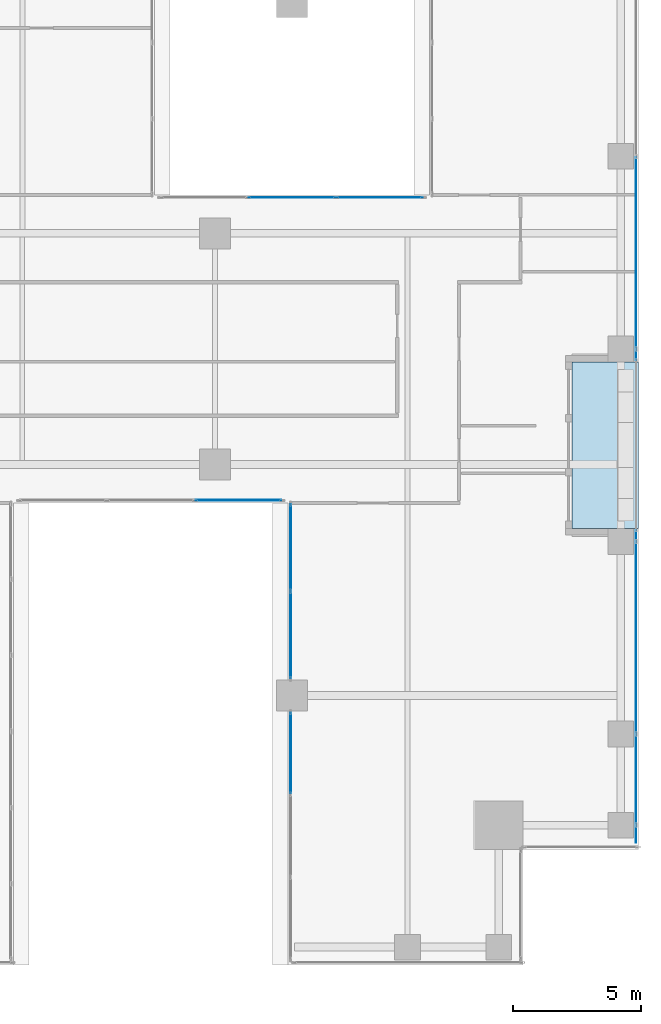
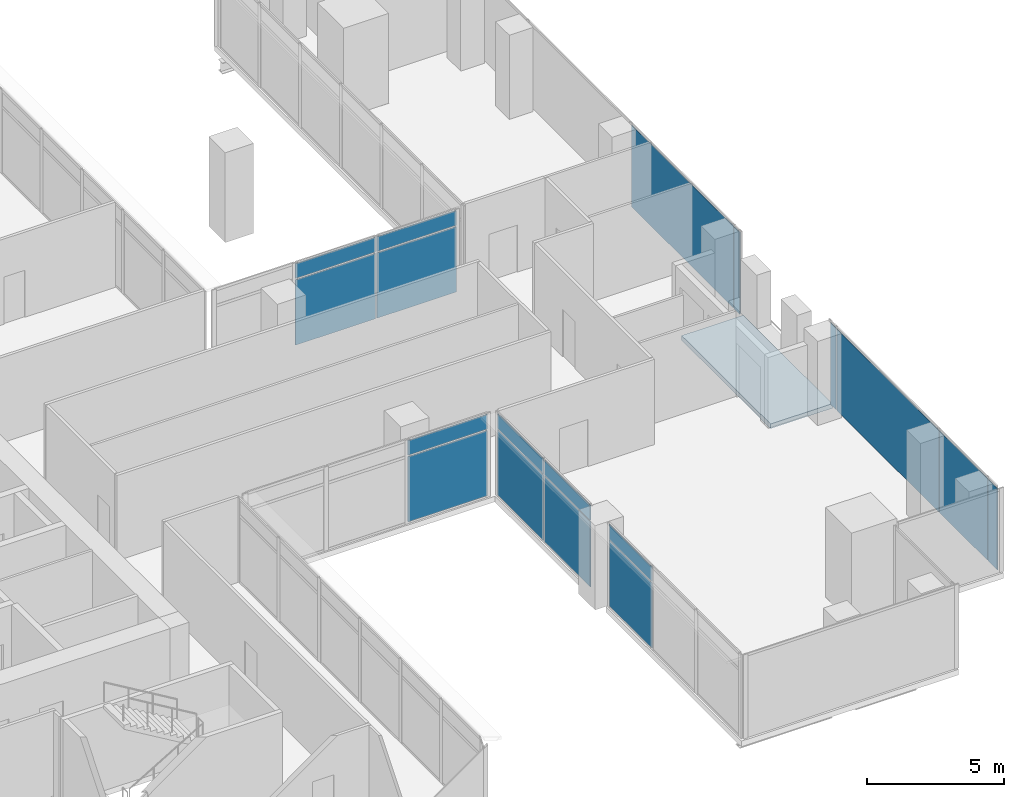
# One storey, part 30 of 38: 18 plates, 1 slab, 6 elements without a shape of their own.
"""IFC4 building model written with IfcOpenShell, lengths in metres."""

import ifcopenshell
import ifcopenshell.guid

model = None  # the IFC model being written
_history = None  # IfcOwnerHistory: only IFC2X3 demands one
_inside = {}  # id of a spatial element -> (the spatial element, [elements in it])
_under = {}  # id of a project, library or spatial element -> (it, [spatial elements below it])
_declared = {}  # id of a project -> (the project, [libraries it declares])
_typed = {}  # id of a type object -> (the type object, [elements of that type])
_made_of = {}  # id of a material, layer set ... -> (it, [elements and type objects made of it])


def new_model(schema):
    """Start an empty IFC model of exactly this schema.

    Asked for "IFC4X3", IfcOpenShell would pick the latest addendum, in which some entities
    have other attributes; the version numbers below select the first issue.
    IFC2X3 requires an IfcOwnerHistory on every rooted entity: one is made here for all.
    """
    global model, _history
    if schema == "IFC4X3":
        model = ifcopenshell.file(schema_version=(4, 3, 0, 0))
    else:
        model = ifcopenshell.file(schema=schema)
    _inside.clear()
    _under.clear()
    _declared.clear()
    _typed.clear()
    _made_of.clear()
    _history = None
    if model.schema == "IFC2X3":
        org = make("IfcOrganization", Name="unknown")
        user = make(
            "IfcPersonAndOrganization",
            ThePerson=make("IfcPerson", FamilyName="unknown"),
            TheOrganization=org,
        )
        app = make(
            "IfcApplication",
            ApplicationDeveloper=org,
            Version="unknown",
            ApplicationFullName="unknown",
            ApplicationIdentifier="unknown",
        )
        _history = make(
            "IfcOwnerHistory",
            OwningUser=user,
            OwningApplication=app,
            ChangeAction="ADDED",
            CreationDate=0,
        )
    return model


def make(cls, **values):
    """One entity of the class cls with the attributes given. An attribute that is None is left unset."""
    return model.create_entity(
        cls, **{name: value for name, value in values.items() if value is not None}
    )


def rooted(cls, **values):
    """An entity with a GlobalId (a new one), such as an element, a storey or a relation."""
    return make(cls, GlobalId=ifcopenshell.guid.new(), OwnerHistory=_history, **values)


def si_unit(unit_type, name, prefix=None):
    """IfcSIUnit, for example si_unit("LENGTHUNIT", "METRE", prefix="MILLI")."""
    return make("IfcSIUnit", UnitType=unit_type, Prefix=prefix, Name=name)


def assignment(units):
    """IfcUnitAssignment: the units of a project."""
    return None if units is None else make("IfcUnitAssignment", Units=units)


def point(xyz):
    """IfcCartesianPoint."""
    return None if xyz is None else make("IfcCartesianPoint", Coordinates=xyz)


def direction(xyz):
    """IfcDirection."""
    return None if xyz is None else make("IfcDirection", DirectionRatios=xyz)


def frame(location, z_axis=None, x_axis=None):
    """IfcAxis2Placement3D, a coordinate frame: its origin and axes. An axis left out is left unset."""
    return make(
        "IfcAxis2Placement3D",
        Location=point(location),
        Axis=direction(z_axis),
        RefDirection=direction(x_axis),
    )


def frame_2d(location, x_axis=None):
    """IfcAxis2Placement2D, a coordinate frame in the plane: its origin and x axis."""
    return make(
        "IfcAxis2Placement2D", Location=point(location), RefDirection=direction(x_axis)
    )


def origin():
    """The frame at (0, 0, 0) with its axes left unset."""
    return frame((0.0, 0.0, 0.0))


def origin_2d():
    """The frame at (0, 0) in the plane with its x axis left unset."""
    return frame_2d((0.0, 0.0))


def place(relative_to, where):
    """IfcLocalPlacement: puts the frame where relative to a parent placement (None: the world)."""
    return make(
        "IfcLocalPlacement", PlacementRelTo=relative_to, RelativePlacement=where
    )


def context(
    kind, dimensions, precision=None, world=None, true_north=None, identifier=None
):
    """IfcGeometricRepresentationContext, for example the 3D "Model" context."""
    return make(
        "IfcGeometricRepresentationContext",
        ContextIdentifier=identifier,
        ContextType=kind,
        CoordinateSpaceDimension=dimensions,
        Precision=precision,
        WorldCoordinateSystem=world,
        TrueNorth=true_north,
    )


def subcontext(parent, identifier, kind, view, scale=None):
    """IfcGeometricRepresentationSubContext, for example "Body" below "Model"."""
    return make(
        "IfcGeometricRepresentationSubContext",
        ContextIdentifier=identifier,
        ContextType=kind,
        ParentContext=parent,
        TargetScale=scale,
        TargetView=view,
    )


def project(units=None, contexts=None):
    """IfcProject with its units and contexts."""
    return rooted(
        "IfcProject",
        Name="project",
        RepresentationContexts=contexts,
        UnitsInContext=assignment(units),
    )


def spatial(cls, under=None, at=None, **own):
    """A site, building, storey or space (cls), placed at a placement, below another one or the project."""
    s = rooted(cls, ObjectPlacement=at, **own)
    if under is not None:
        _under.setdefault(under.id(), (under, []))[1].append(s)
    return s


def polyline(points):
    """IfcPolyline through the points."""
    return make("IfcPolyline", Points=[point(p) for p in points])


def profile(cls, at=None, kind="AREA", **sizes):
    """A parametric profile (cls). Its sizes go by their IFC names, for example OverallWidth=200.0."""
    return make(cls, ProfileType=kind, Position=at, **sizes)


def rectangle(**sizes):
    """IfcRectangleProfileDef."""
    return profile("IfcRectangleProfileDef", **sizes)


def outline(outer, holes=None, kind="AREA"):
    """IfcArbitraryClosedProfileDef: a profile drawn as a closed curve; with holes, ...WithVoids."""
    if holes is None:
        return make("IfcArbitraryClosedProfileDef", ProfileType=kind, OuterCurve=outer)
    return make(
        "IfcArbitraryProfileDefWithVoids",
        ProfileType=kind,
        OuterCurve=outer,
        InnerCurves=holes,
    )


def extrude(swept, where, along, depth):
    """IfcExtrudedAreaSolid: the profile swept, set in the frame where, extruded along a direction by depth."""
    return make(
        "IfcExtrudedAreaSolid",
        SweptArea=swept,
        Position=where,
        ExtrudedDirection=direction(along),
        Depth=depth,
    )


def shape(context_of_items, identifier, shape_type, items):
    """IfcShapeRepresentation: the items that make up one representation, for example the "Body"."""
    return make(
        "IfcShapeRepresentation",
        ContextOfItems=context_of_items,
        RepresentationIdentifier=identifier,
        RepresentationType=shape_type,
        Items=items,
    )


def source(mapping_origin, context_of_items, identifier, shape_type, items):
    """IfcRepresentationMap: a shape defined once, which mapped items show again and again."""
    return make(
        "IfcRepresentationMap",
        MappingOrigin=mapping_origin,
        MappedRepresentation=shape(context_of_items, identifier, shape_type, items),
    )


def transform(
    local_origin,
    x_axis=None,
    y_axis=None,
    z_axis=None,
    scale=None,
    scale2=None,
    scale3=None,
    uniform=True,
):
    """IfcCartesianTransformationOperator3D, or its non-uniform kind. x_axis, y_axis, z_axis: its Axis1, 2, 3."""
    if uniform:
        return make(
            "IfcCartesianTransformationOperator3D",
            Axis1=direction(x_axis),
            Axis2=direction(y_axis),
            LocalOrigin=point(local_origin),
            Scale=scale,
            Axis3=direction(z_axis),
        )
    return make(
        "IfcCartesianTransformationOperator3DnonUniform",
        Axis1=direction(x_axis),
        Axis2=direction(y_axis),
        LocalOrigin=point(local_origin),
        Scale=scale,
        Axis3=direction(z_axis),
        Scale2=scale2,
        Scale3=scale3,
    )


def mapped(mapping_source, mapping_target):
    """IfcMappedItem: shows the shape of a source again, moved by a transform."""
    return make(
        "IfcMappedItem", MappingSource=mapping_source, MappingTarget=mapping_target
    )


def material(Name=None, Category=None):
    """IfcMaterial."""
    return make("IfcMaterial", Name=Name, Category=Category)


def layer(
    of_material, thickness, ventilated=None, Name=None, Category=None, Priority=None
):
    """IfcMaterialLayer: one layer of a wall or slab, of a material (None: an air gap)."""
    return make(
        "IfcMaterialLayer",
        Material=of_material,
        LayerThickness=thickness,
        IsVentilated=ventilated,
        Name=Name,
        Category=Category,
        Priority=Priority,
    )


def layer_set(layers, Name=None):
    """IfcMaterialLayerSet."""
    return make("IfcMaterialLayerSet", MaterialLayers=layers, LayerSetName=Name)


def made_of(thing, what):
    """Note that an element or type object is made of a material, layer set ...; save() writes the relation."""
    if what is not None:
        _made_of.setdefault(what.id(), (what, []))[1].append(thing)
    return thing


def type_object(cls, material=None, **own):
    """A type object (cls), such as IfcWallType, which elements share."""
    return made_of(rooted(cls, **own), material)


def element(
    cls,
    number,
    at=None,
    inside=None,
    cuts=None,
    type_object=None,
    material=None,
    context=None,
    identifier="Body",
    shape_type=None,
    held_by="IfcProductDefinitionShape",
    body=None,
    shapes=None,
    **own,
):
    """One element of the class cls, such as IfcWall. Its Tag is "e" and its number.

    at: its placement. inside: the storey or other place that contains it. cuts: it is an
    opening in that element (IfcRelVoidsElement). A single representation is given by context,
    identifier, shape_type and body (its items); several are given by shapes. held_by: the class
    of the entity that holds the representations. save() writes the other relations.
    """
    e = rooted(cls, Tag="e%d" % number, ObjectPlacement=at, **own)
    if body is not None:
        shapes = [shape(context, identifier, shape_type, body)]
    if shapes is not None:
        e.Representation = make(held_by, Representations=shapes)
    if inside is not None:
        _inside.setdefault(inside.id(), (inside, []))[1].append(e)
    if cuts is not None:
        rooted(
            "IfcRelVoidsElement", RelatingBuildingElement=cuts, RelatedOpeningElement=e
        )
    if type_object is not None:
        _typed.setdefault(type_object.id(), (type_object, []))[1].append(e)
    return made_of(e, material)


def aggregate(whole, parts):
    """IfcRelAggregates: a whole, such as a stair, and the parts it consists of."""
    return rooted("IfcRelAggregates", RelatingObject=whole, RelatedObjects=parts)


def save(model, path):
    """Write the relations noted so far, then the file.

    IfcRelAggregates (storeys below a building ...), IfcRelContainedInSpatialStructure (elements
    in a storey), IfcRelDefinesByType, IfcRelAssociatesMaterial and IfcRelDeclares: one each for
    every whole, place, type object, material and project.
    """
    for whole, parts in _under.values():
        aggregate(whole, parts)
    for where, things in _inside.values():
        rooted(
            "IfcRelContainedInSpatialStructure",
            RelatedElements=things,
            RelatingStructure=where,
        )
    for kind, things in _typed.values():
        rooted("IfcRelDefinesByType", RelatedObjects=things, RelatingType=kind)
    for what, things in _made_of.values():
        rooted("IfcRelAssociatesMaterial", RelatedObjects=things, RelatingMaterial=what)
    for by, libraries in _declared.values():
        rooted("IfcRelDeclares", RelatingContext=by, RelatedDefinitions=libraries)
    model.write(path)


model = new_model("IFC4")

# Units and contexts
model_context = context("Model", 3, precision=1e-05, world=origin(), true_north=direction((0.0, 1.0)))
body_context = subcontext(model_context, "Body", "Model", "MODEL_VIEW")
ifc_project = project(units=[si_unit("LENGTHUNIT", "METRE"), si_unit("AREAUNIT", "SQUARE_METRE"), si_unit("VOLUMEUNIT", "CUBIC_METRE"), si_unit("PLANEANGLEUNIT", "RADIAN"), si_unit("MASSUNIT", "GRAM", prefix="KILO")], contexts=[model_context])

# Site, building, storey
site_placement = place(None, origin())
site = spatial("IfcSite", under=ifc_project, at=site_placement, CompositionType="ELEMENT")
building_placement = place(site_placement, origin())
building = spatial("IfcBuilding", under=site, at=building_placement, Name="Khomas Fold Tower", CompositionType="ELEMENT")
storey_placement = place(building_placement, frame((0.0, 0.0, 172.699951171875)))
storey = spatial("IfcBuildingStorey", under=building, at=storey_placement, Name="L37", CompositionType="ELEMENT", Elevation=172.699951171875)

# Curtain wall, plates
ifc_material_1 = material(Name="Aluminium framed double glazing", Category="aluminium")
curtain_wall_type_1 = type_object("IfcCurtainWallType", Name="SK-Unitised clear-glass wall, office floors CW2", PredefinedType="NOTDEFINED", material=ifc_material_1)
curtain_wall_1_placement = place(storey_placement, origin())
curtain_wall_1 = element("IfcCurtainWall", 1, at=curtain_wall_1_placement, inside=storey, type_object=curtain_wall_type_1, Name="CW2 run L37 08-0", PredefinedType="NOTDEFINED")
ifc_material_2 = material(Name="Clear double glazed unit")
ifc_layer_1 = layer(ifc_material_2, 0.030029296875)
ifc_layer_set_1 = layer_set([ifc_layer_1], Name="Clear double glazed unit")
plate_type_1 = type_object("IfcPlateType", Name="SK-Unitised clear-glass wall, office floors glass panel CW2-P", PredefinedType="CURTAIN_PANEL", material=ifc_layer_set_1)
shared_shape_1 = source(origin(), body_context, "Body", "SweptSolid", [
    extrude(rectangle(XDim=0.659912109375, YDim=0.030029296875, at=origin_2d()), origin(), (0.0, 0.0, 1.0), 3.639892578125),
])
plate_1_placement = place(storey_placement, frame((50.89990234375, 8.090087890625, 0.0), z_axis=(0.0, 0.0, 1.0), x_axis=(0.0, 1.0, 0.0)))
plate_1 = element("IfcPlate", 2, at=plate_1_placement, type_object=plate_type_1, Name="CW2 glass panel 1", PredefinedType="CURTAIN_PANEL", context=body_context, shape_type="MappedRepresentation", body=[
    mapped(shared_shape_1, transform((0.0, 0.0, 0.0))),
])
shared_shape_2 = source(origin(), body_context, "Body", "SweptSolid", [
    extrude(rectangle(XDim=3.489990234375, YDim=0.030029296875, at=origin_2d()), origin(), (0.0, 0.0, 1.0), 3.639892578125),
])
plate_2_placement = place(storey_placement, frame((50.89990234375, 10.22509765625, 0.0), z_axis=(0.0, 0.0, 1.0), x_axis=(0.0, 1.0, 0.0)))
plate_2 = element("IfcPlate", 3, at=plate_2_placement, type_object=plate_type_1, Name="CW2 glass panel 2", PredefinedType="CURTAIN_PANEL", context=body_context, shape_type="MappedRepresentation", body=[
    mapped(shared_shape_2, transform((0.0, 0.0, 0.0))),
])
shared_shape_3 = source(origin(), body_context, "Body", "SweptSolid", [
    extrude(rectangle(XDim=7.43994140625, YDim=0.030029296875, at=origin_2d()), origin(), (0.0, 0.0, 1.0), 3.639892578125),
])
plate_3_placement = place(storey_placement, frame((50.89990234375, 15.75, 0.0), z_axis=(0.0, 0.0, 1.0), x_axis=(0.0, 1.0, 0.0)))
plate_3 = element("IfcPlate", 4, at=plate_3_placement, type_object=plate_type_1, Name="CW2 glass panel 3", PredefinedType="CURTAIN_PANEL", context=body_context, shape_type="MappedRepresentation", body=[
    mapped(shared_shape_3, transform((0.0, 0.0, 0.0))),
])

# Curtain wall, plate
curtain_wall_2_placement = place(storey_placement, origin())
curtain_wall_2 = element("IfcCurtainWall", 5, at=curtain_wall_2_placement, inside=storey, type_object=curtain_wall_type_1, Name="CW2 run L37 08-1", PredefinedType="NOTDEFINED")
plate_4_placement = place(storey_placement, frame((50.89990234375, 30.75, 0.0), z_axis=(0.0, 0.0, 1.0), x_axis=(0.0, 1.0, 0.0)))
plate_4 = element("IfcPlate", 6, at=plate_4_placement, type_object=plate_type_1, Name="CW2 glass panel 2", PredefinedType="CURTAIN_PANEL", context=body_context, shape_type="MappedRepresentation", body=[
    mapped(shared_shape_3, transform((0.0, 0.0, 0.0))),
])

# Plate
shared_shape_4 = source(origin(), body_context, "Body", "SweptSolid", [
    extrude(rectangle(XDim=0.409912109375, YDim=0.030029296875, at=origin_2d()), origin(), (0.0, 0.0, 1.0), 3.639892578125),
])
plate_5_placement = place(storey_placement, frame((50.89990234375, 19.735107421875, 0.0), z_axis=(0.0, 0.0, 1.0), x_axis=(0.0, 1.0, 0.0)))
plate_5 = element("IfcPlate", 7, at=plate_5_placement, type_object=plate_type_1, Name="CW2 glass panel 4", PredefinedType="CURTAIN_PANEL", context=body_context, shape_type="MappedRepresentation", body=[
    mapped(shared_shape_4, transform((0.0, 0.0, 0.0))),
])

aggregate(curtain_wall_1, [plate_1, plate_2, plate_3, plate_5])

plate_6_placement = place(storey_placement, frame((50.89990234375, 26.764892578125, 0.0), z_axis=(0.0, 0.0, 1.0), x_axis=(0.0, 1.0, 0.0)))
plate_6 = element("IfcPlate", 8, at=plate_6_placement, type_object=plate_type_1, Name="CW2 glass panel 1", PredefinedType="CURTAIN_PANEL", context=body_context, shape_type="MappedRepresentation", body=[
    mapped(shared_shape_4, transform((0.0, 0.0, 0.0))),
])

aggregate(curtain_wall_2, [plate_6, plate_4])

# Slab
ifc_material_3 = material(Name="Concrete C40/50", Category="concrete")
ifc_layer_2 = layer(ifc_material_3, 0.205078125)
ifc_layer_set_2 = layer_set([ifc_layer_2], Name="Concrete C40/50")
slab_type = type_object("IfcSlabType", Name="BL-Balcony deck 205", PredefinedType="FLOOR", material=ifc_layer_set_2)
shared_shape_5 = source(origin(), body_context, "Body", "SweptSolid", [
    extrude(outline(polyline([(48.39990234375, 20.0), (51.0, 20.0), (51.0, 26.5), (48.39990234375, 26.5), (48.39990234375, 20.0)])), origin(), (0.0, 0.0, 1.0), 0.205078125),
])
slab_placement = place(storey_placement, frame((0.0, 0.0, -0.25)))
element("IfcSlab", 9, at=slab_placement, inside=storey, type_object=slab_type, Name="Balcony deck BAL-L37-E2", PredefinedType="FLOOR", context=body_context, shape_type="MappedRepresentation", body=[
    mapped(shared_shape_5, transform((0.0, 0.0, 0.0))),
])

# Curtain wall, plates
ifc_material_4 = material(Name="Aluminium framed double glazing", Category="aluminium")
curtain_wall_type_2 = type_object("IfcCurtainWallType", Name="Notch glazing GN-CW", PredefinedType="NOTDEFINED", material=ifc_material_4)
curtain_wall_3_placement = place(storey_placement, origin())
curtain_wall_3 = element("IfcCurtainWall", 10, at=curtain_wall_3_placement, inside=storey, type_object=curtain_wall_type_2, Name="Notch glazing run", PredefinedType="NOTDEFINED")
ifc_material_5 = material(Name="Double glazed unit")
ifc_layer_3 = layer(ifc_material_5, 0.031982421875)
ifc_layer_set_3 = layer_set([ifc_layer_3], Name="Double glazed unit")
plate_type_2 = type_object("IfcPlateType", Name="Notch glazing panel GN-CW-P", PredefinedType="CURTAIN_PANEL", material=ifc_layer_set_3)
shared_shape_6 = source(origin(), body_context, "Body", "SweptSolid", [
    extrude(rectangle(XDim=3.35009765625, YDim=0.031982421875, at=origin_2d()), origin(), (0.0, 0.0, 1.0), 2.909912109375),
])
plate_7_placement = place(storey_placement, frame((37.449951171875, 19.264892578125, 0.06005859375), z_axis=(0.0, 0.0, 1.0), x_axis=(0.0, -1.0, 0.0)))
plate_7 = element("IfcPlate", 11, at=plate_7_placement, type_object=plate_type_2, Name="GN-CW panel 1.1", PredefinedType="CURTAIN_PANEL", context=body_context, shape_type="MappedRepresentation", body=[
    mapped(shared_shape_6, transform((0.0, 0.0, 0.0))),
])
plate_8_placement = place(storey_placement, frame((37.449951171875, 15.85498046875, 0.06005859375), z_axis=(0.0, 0.0, 1.0), x_axis=(0.0, -1.0, 0.0)))
plate_8 = element("IfcPlate", 12, at=plate_8_placement, type_object=plate_type_2, Name="GN-CW panel 2.1", PredefinedType="CURTAIN_PANEL", context=body_context, shape_type="MappedRepresentation", body=[
    mapped(shared_shape_6, transform((0.0, 0.0, 0.0))),
])
shared_shape_7 = source(origin(), body_context, "Body", "SweptSolid", [
    extrude(rectangle(XDim=3.35009765625, YDim=0.031982421875, at=origin_2d()), origin(), (0.0, 0.0, 1.0), 0.659912109375),
])
plate_9_placement = place(storey_placement, frame((37.449951171875, 19.264892578125, 3.0302734375), z_axis=(0.0, 0.0, 1.0), x_axis=(0.0, -1.0, 0.0)))
plate_9 = element("IfcPlate", 13, at=plate_9_placement, type_object=plate_type_2, Name="GN-CW panel 1.2", PredefinedType="CURTAIN_PANEL", context=body_context, shape_type="MappedRepresentation", body=[
    mapped(shared_shape_7, transform((0.0, 0.0, 0.0))),
])
plate_10_placement = place(storey_placement, frame((37.449951171875, 15.85498046875, 3.0302734375), z_axis=(0.0, 0.0, 1.0), x_axis=(0.0, -1.0, 0.0)))
plate_10 = element("IfcPlate", 14, at=plate_10_placement, type_object=plate_type_2, Name="GN-CW panel 2.2", PredefinedType="CURTAIN_PANEL", context=body_context, shape_type="MappedRepresentation", body=[
    mapped(shared_shape_7, transform((0.0, 0.0, 0.0))),
])
aggregate(curtain_wall_3, [plate_7, plate_9, plate_8, plate_10])

curtain_wall_4_placement = place(storey_placement, origin())
curtain_wall_4 = element("IfcCurtainWall", 15, at=curtain_wall_4_placement, inside=storey, type_object=curtain_wall_type_2, Name="Notch glazing run", PredefinedType="NOTDEFINED")
shared_shape_8 = source(origin(), body_context, "Body", "SweptSolid", [
    extrude(rectangle(XDim=3.13671875, YDim=0.031982421875, at=origin_2d()), origin(), (0.0, 0.0, 1.0), 2.909912109375),
])
plate_11_placement = place(storey_placement, frame((37.449951171875, 11.251708984375, 0.06005859375), z_axis=(0.0, 0.0, 1.0), x_axis=(0.0, -1.0, 0.0)))
plate_11 = element("IfcPlate", 16, at=plate_11_placement, type_object=plate_type_2, Name="GN-CW panel 1.1", PredefinedType="CURTAIN_PANEL", context=body_context, shape_type="MappedRepresentation", body=[
    mapped(shared_shape_8, transform((0.0, 0.0, 0.0))),
])
shared_shape_9 = source(origin(), body_context, "Body", "SweptSolid", [
    extrude(rectangle(XDim=3.13671875, YDim=0.031982421875, at=origin_2d()), origin(), (0.0, 0.0, 1.0), 0.659912109375),
])
plate_12_placement = place(storey_placement, frame((37.449951171875, 11.251708984375, 3.0302734375), z_axis=(0.0, 0.0, 1.0), x_axis=(0.0, -1.0, 0.0)))
plate_12 = element("IfcPlate", 17, at=plate_12_placement, type_object=plate_type_2, Name="GN-CW panel 1.2", PredefinedType="CURTAIN_PANEL", context=body_context, shape_type="MappedRepresentation", body=[
    mapped(shared_shape_9, transform((0.0, 0.0, 0.0))),
])
aggregate(curtain_wall_4, [plate_11, plate_12])

# Curtain wall, plate
curtain_wall_5_placement = place(storey_placement, origin())
curtain_wall_5 = element("IfcCurtainWall", 18, at=curtain_wall_5_placement, inside=storey, type_object=curtain_wall_type_2, Name="Notch glazing run", PredefinedType="NOTDEFINED")
shared_shape_10 = source(origin(), body_context, "Body", "SweptSolid", [
    extrude(rectangle(XDim=3.34326171875, YDim=0.031982421875, at=origin_2d()), origin(), (0.0, 0.0, 1.0), 2.909912109375),
])
plate_13_placement = place(storey_placement, frame((35.418212890625, 21.10009765625, 0.06005859375), z_axis=(0.0, 0.0, 1.0), x_axis=(1.0, 0.0, 0.0)))
plate_13 = element("IfcPlate", 19, at=plate_13_placement, type_object=plate_type_2, Name="GN-CW panel 3.1", PredefinedType="CURTAIN_PANEL", context=body_context, shape_type="MappedRepresentation", body=[
    mapped(shared_shape_10, transform((0.0, 0.0, 0.0))),
])

curtain_wall_6_placement = place(storey_placement, origin())
curtain_wall_6 = element("IfcCurtainWall", 20, at=curtain_wall_6_placement, inside=storey, type_object=curtain_wall_type_2, Name="Notch glazing run", PredefinedType="NOTDEFINED")
plate_14_placement = place(storey_placement, frame((40.918212890625, 32.89990234375, 0.06005859375), z_axis=(0.0, 0.0, 1.0), x_axis=(-1.0, 0.0, 0.0)))
plate_14 = element("IfcPlate", 21, at=plate_14_placement, type_object=plate_type_2, Name="GN-CW panel 1.1", PredefinedType="CURTAIN_PANEL", context=body_context, shape_type="MappedRepresentation", body=[
    mapped(shared_shape_10, transform((0.0, 0.0, 0.0))),
])

# Plate
shared_shape_11 = source(origin(), body_context, "Body", "SweptSolid", [
    extrude(rectangle(XDim=3.34326171875, YDim=0.031982421875, at=origin_2d()), origin(), (0.0, 0.0, 1.0), 0.659912109375),
])
plate_15_placement = place(storey_placement, frame((35.418212890625, 21.10009765625, 3.0302734375), z_axis=(0.0, 0.0, 1.0), x_axis=(1.0, 0.0, 0.0)))
plate_15 = element("IfcPlate", 22, at=plate_15_placement, type_object=plate_type_2, Name="GN-CW panel 3.2", PredefinedType="CURTAIN_PANEL", context=body_context, shape_type="MappedRepresentation", body=[
    mapped(shared_shape_11, transform((0.0, 0.0, 0.0))),
])

aggregate(curtain_wall_5, [plate_13, plate_15])

plate_16_placement = place(storey_placement, frame((40.918212890625, 32.89990234375, 3.0302734375), z_axis=(0.0, 0.0, 1.0), x_axis=(-1.0, 0.0, 0.0)))
plate_16 = element("IfcPlate", 23, at=plate_16_placement, type_object=plate_type_2, Name="GN-CW panel 1.2", PredefinedType="CURTAIN_PANEL", context=body_context, shape_type="MappedRepresentation", body=[
    mapped(shared_shape_11, transform((0.0, 0.0, 0.0))),
])

shared_shape_12 = source(origin(), body_context, "Body", "SweptSolid", [
    extrude(rectangle(XDim=3.373291015625, YDim=0.031982421875, at=origin_2d()), origin(), (0.0, 0.0, 1.0), 2.909912109375),
])
plate_17_placement = place(storey_placement, frame((37.5, 32.89990234375, 0.06005859375), z_axis=(0.0, 0.0, 1.0), x_axis=(-1.0, 0.0, 0.0)))
plate_17 = element("IfcPlate", 24, at=plate_17_placement, type_object=plate_type_2, Name="GN-CW panel 2.1", PredefinedType="CURTAIN_PANEL", context=body_context, shape_type="MappedRepresentation", body=[
    mapped(shared_shape_12, transform((0.0, 0.0, 0.0))),
])

shared_shape_13 = source(origin(), body_context, "Body", "SweptSolid", [
    extrude(rectangle(XDim=3.373291015625, YDim=0.031982421875, at=origin_2d()), origin(), (0.0, 0.0, 1.0), 0.659912109375),
])
plate_18_placement = place(storey_placement, frame((37.5, 32.89990234375, 3.0302734375), z_axis=(0.0, 0.0, 1.0), x_axis=(-1.0, 0.0, 0.0)))
plate_18 = element("IfcPlate", 25, at=plate_18_placement, type_object=plate_type_2, Name="GN-CW panel 2.2", PredefinedType="CURTAIN_PANEL", context=body_context, shape_type="MappedRepresentation", body=[
    mapped(shared_shape_13, transform((0.0, 0.0, 0.0))),
])

aggregate(curtain_wall_6, [plate_14, plate_16, plate_17, plate_18])

save(model, "model.ifc")
